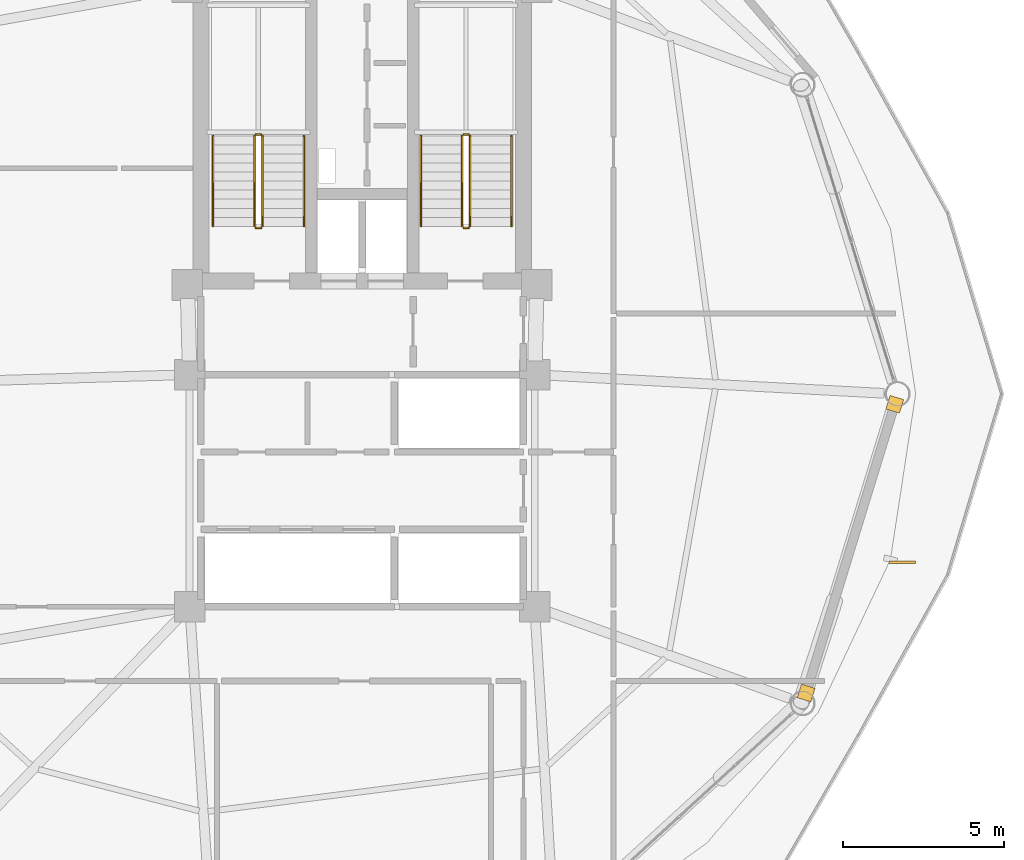
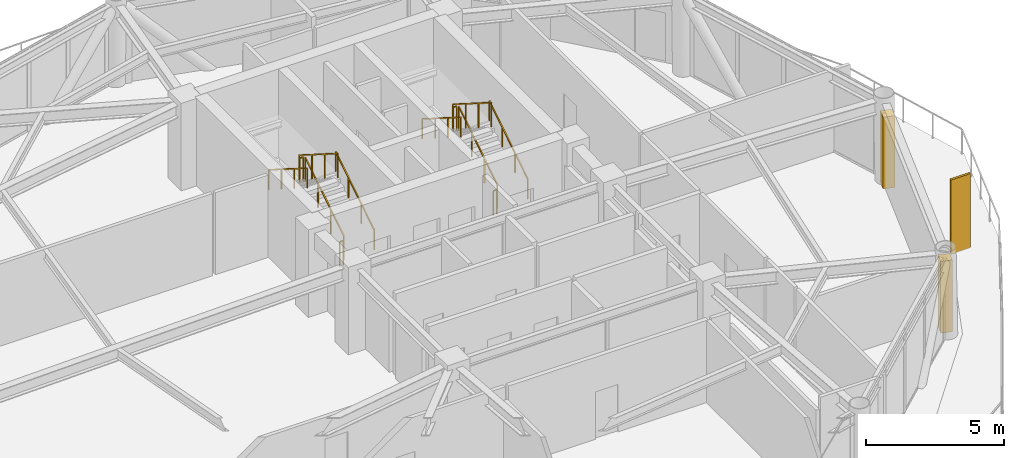
# One storey, part 22 of 23: 12 railings, 2 coverings, 1 shading device.
"""IFC4 building model written with IfcOpenShell, lengths in metres."""

import ifcopenshell
import ifcopenshell.guid

model = None  # the IFC model being written
_history = None  # IfcOwnerHistory: only IFC2X3 demands one
_inside = {}  # id of a spatial element -> (the spatial element, [elements in it])
_under = {}  # id of a project, library or spatial element -> (it, [spatial elements below it])
_declared = {}  # id of a project -> (the project, [libraries it declares])
_typed = {}  # id of a type object -> (the type object, [elements of that type])
_made_of = {}  # id of a material, layer set ... -> (it, [elements and type objects made of it])


def new_model(schema):
    """Start an empty IFC model of exactly this schema.

    Asked for "IFC4X3", IfcOpenShell would pick the latest addendum, in which some entities
    have other attributes; the version numbers below select the first issue.
    IFC2X3 requires an IfcOwnerHistory on every rooted entity: one is made here for all.
    """
    global model, _history
    if schema == "IFC4X3":
        model = ifcopenshell.file(schema_version=(4, 3, 0, 0))
    else:
        model = ifcopenshell.file(schema=schema)
    _inside.clear()
    _under.clear()
    _declared.clear()
    _typed.clear()
    _made_of.clear()
    _history = None
    if model.schema == "IFC2X3":
        org = make("IfcOrganization", Name="unknown")
        user = make(
            "IfcPersonAndOrganization",
            ThePerson=make("IfcPerson", FamilyName="unknown"),
            TheOrganization=org,
        )
        app = make(
            "IfcApplication",
            ApplicationDeveloper=org,
            Version="unknown",
            ApplicationFullName="unknown",
            ApplicationIdentifier="unknown",
        )
        _history = make(
            "IfcOwnerHistory",
            OwningUser=user,
            OwningApplication=app,
            ChangeAction="ADDED",
            CreationDate=0,
        )
    return model


def make(cls, **values):
    """One entity of the class cls with the attributes given. An attribute that is None is left unset."""
    return model.create_entity(
        cls, **{name: value for name, value in values.items() if value is not None}
    )


def rooted(cls, **values):
    """An entity with a GlobalId (a new one), such as an element, a storey or a relation."""
    return make(cls, GlobalId=ifcopenshell.guid.new(), OwnerHistory=_history, **values)


def si_unit(unit_type, name, prefix=None):
    """IfcSIUnit, for example si_unit("LENGTHUNIT", "METRE", prefix="MILLI")."""
    return make("IfcSIUnit", UnitType=unit_type, Prefix=prefix, Name=name)


def assignment(units):
    """IfcUnitAssignment: the units of a project."""
    return None if units is None else make("IfcUnitAssignment", Units=units)


def point(xyz):
    """IfcCartesianPoint."""
    return None if xyz is None else make("IfcCartesianPoint", Coordinates=xyz)


def direction(xyz):
    """IfcDirection."""
    return None if xyz is None else make("IfcDirection", DirectionRatios=xyz)


def frame(location, z_axis=None, x_axis=None):
    """IfcAxis2Placement3D, a coordinate frame: its origin and axes. An axis left out is left unset."""
    return make(
        "IfcAxis2Placement3D",
        Location=point(location),
        Axis=direction(z_axis),
        RefDirection=direction(x_axis),
    )


def frame_2d(location, x_axis=None):
    """IfcAxis2Placement2D, a coordinate frame in the plane: its origin and x axis."""
    return make(
        "IfcAxis2Placement2D", Location=point(location), RefDirection=direction(x_axis)
    )


def origin():
    """The frame at (0, 0, 0) with its axes left unset."""
    return frame((0.0, 0.0, 0.0))


def origin_2d():
    """The frame at (0, 0) in the plane with its x axis left unset."""
    return frame_2d((0.0, 0.0))


def place(relative_to, where):
    """IfcLocalPlacement: puts the frame where relative to a parent placement (None: the world)."""
    return make(
        "IfcLocalPlacement", PlacementRelTo=relative_to, RelativePlacement=where
    )


def context(
    kind, dimensions, precision=None, world=None, true_north=None, identifier=None
):
    """IfcGeometricRepresentationContext, for example the 3D "Model" context."""
    return make(
        "IfcGeometricRepresentationContext",
        ContextIdentifier=identifier,
        ContextType=kind,
        CoordinateSpaceDimension=dimensions,
        Precision=precision,
        WorldCoordinateSystem=world,
        TrueNorth=true_north,
    )


def subcontext(parent, identifier, kind, view, scale=None):
    """IfcGeometricRepresentationSubContext, for example "Body" below "Model"."""
    return make(
        "IfcGeometricRepresentationSubContext",
        ContextIdentifier=identifier,
        ContextType=kind,
        ParentContext=parent,
        TargetScale=scale,
        TargetView=view,
    )


def project(units=None, contexts=None):
    """IfcProject with its units and contexts."""
    return rooted(
        "IfcProject",
        Name="project",
        RepresentationContexts=contexts,
        UnitsInContext=assignment(units),
    )


def spatial(cls, under=None, at=None, **own):
    """A site, building, storey or space (cls), placed at a placement, below another one or the project."""
    s = rooted(cls, ObjectPlacement=at, **own)
    if under is not None:
        _under.setdefault(under.id(), (under, []))[1].append(s)
    return s


def profile(cls, at=None, kind="AREA", **sizes):
    """A parametric profile (cls). Its sizes go by their IFC names, for example OverallWidth=200.0."""
    return make(cls, ProfileType=kind, Position=at, **sizes)


def rectangle(**sizes):
    """IfcRectangleProfileDef."""
    return profile("IfcRectangleProfileDef", **sizes)


def extrude(swept, where, along, depth):
    """IfcExtrudedAreaSolid: the profile swept, set in the frame where, extruded along a direction by depth."""
    return make(
        "IfcExtrudedAreaSolid",
        SweptArea=swept,
        Position=where,
        ExtrudedDirection=direction(along),
        Depth=depth,
    )


def shape(context_of_items, identifier, shape_type, items):
    """IfcShapeRepresentation: the items that make up one representation, for example the "Body"."""
    return make(
        "IfcShapeRepresentation",
        ContextOfItems=context_of_items,
        RepresentationIdentifier=identifier,
        RepresentationType=shape_type,
        Items=items,
    )


def source(mapping_origin, context_of_items, identifier, shape_type, items):
    """IfcRepresentationMap: a shape defined once, which mapped items show again and again."""
    return make(
        "IfcRepresentationMap",
        MappingOrigin=mapping_origin,
        MappedRepresentation=shape(context_of_items, identifier, shape_type, items),
    )


def transform(
    local_origin,
    x_axis=None,
    y_axis=None,
    z_axis=None,
    scale=None,
    scale2=None,
    scale3=None,
    uniform=True,
):
    """IfcCartesianTransformationOperator3D, or its non-uniform kind. x_axis, y_axis, z_axis: its Axis1, 2, 3."""
    if uniform:
        return make(
            "IfcCartesianTransformationOperator3D",
            Axis1=direction(x_axis),
            Axis2=direction(y_axis),
            LocalOrigin=point(local_origin),
            Scale=scale,
            Axis3=direction(z_axis),
        )
    return make(
        "IfcCartesianTransformationOperator3DnonUniform",
        Axis1=direction(x_axis),
        Axis2=direction(y_axis),
        LocalOrigin=point(local_origin),
        Scale=scale,
        Axis3=direction(z_axis),
        Scale2=scale2,
        Scale3=scale3,
    )


def mapped(mapping_source, mapping_target):
    """IfcMappedItem: shows the shape of a source again, moved by a transform."""
    return make(
        "IfcMappedItem", MappingSource=mapping_source, MappingTarget=mapping_target
    )


def material(Name=None, Category=None):
    """IfcMaterial."""
    return make("IfcMaterial", Name=Name, Category=Category)


def layer(
    of_material, thickness, ventilated=None, Name=None, Category=None, Priority=None
):
    """IfcMaterialLayer: one layer of a wall or slab, of a material (None: an air gap)."""
    return make(
        "IfcMaterialLayer",
        Material=of_material,
        LayerThickness=thickness,
        IsVentilated=ventilated,
        Name=Name,
        Category=Category,
        Priority=Priority,
    )


def layer_set(layers, Name=None):
    """IfcMaterialLayerSet."""
    return make("IfcMaterialLayerSet", MaterialLayers=layers, LayerSetName=Name)


def made_of(thing, what):
    """Note that an element or type object is made of a material, layer set ...; save() writes the relation."""
    if what is not None:
        _made_of.setdefault(what.id(), (what, []))[1].append(thing)
    return thing


def type_object(cls, material=None, **own):
    """A type object (cls), such as IfcWallType, which elements share."""
    return made_of(rooted(cls, **own), material)


def type_shapes(of_type, sources):
    """Give a type object the sources (RepresentationMaps) that its elements show as mapped items."""
    of_type.RepresentationMaps = sources


def element(
    cls,
    number,
    at=None,
    inside=None,
    cuts=None,
    type_object=None,
    material=None,
    context=None,
    identifier="Body",
    shape_type=None,
    held_by="IfcProductDefinitionShape",
    body=None,
    shapes=None,
    **own,
):
    """One element of the class cls, such as IfcWall. Its Tag is "e" and its number.

    at: its placement. inside: the storey or other place that contains it. cuts: it is an
    opening in that element (IfcRelVoidsElement). A single representation is given by context,
    identifier, shape_type and body (its items); several are given by shapes. held_by: the class
    of the entity that holds the representations. save() writes the other relations.
    """
    e = rooted(cls, Tag="e%d" % number, ObjectPlacement=at, **own)
    if body is not None:
        shapes = [shape(context, identifier, shape_type, body)]
    if shapes is not None:
        e.Representation = make(held_by, Representations=shapes)
    if inside is not None:
        _inside.setdefault(inside.id(), (inside, []))[1].append(e)
    if cuts is not None:
        rooted(
            "IfcRelVoidsElement", RelatingBuildingElement=cuts, RelatedOpeningElement=e
        )
    if type_object is not None:
        _typed.setdefault(type_object.id(), (type_object, []))[1].append(e)
    return made_of(e, material)


def aggregate(whole, parts):
    """IfcRelAggregates: a whole, such as a stair, and the parts it consists of."""
    return rooted("IfcRelAggregates", RelatingObject=whole, RelatedObjects=parts)


def save(model, path):
    """Write the relations noted so far, then the file.

    IfcRelAggregates (storeys below a building ...), IfcRelContainedInSpatialStructure (elements
    in a storey), IfcRelDefinesByType, IfcRelAssociatesMaterial and IfcRelDeclares: one each for
    every whole, place, type object, material and project.
    """
    for whole, parts in _under.values():
        aggregate(whole, parts)
    for where, things in _inside.values():
        rooted(
            "IfcRelContainedInSpatialStructure",
            RelatedElements=things,
            RelatingStructure=where,
        )
    for kind, things in _typed.values():
        rooted("IfcRelDefinesByType", RelatedObjects=things, RelatingType=kind)
    for what, things in _made_of.values():
        rooted("IfcRelAssociatesMaterial", RelatedObjects=things, RelatingMaterial=what)
    for by, libraries in _declared.values():
        rooted("IfcRelDeclares", RelatingContext=by, RelatedDefinitions=libraries)
    model.write(path)


model = new_model("IFC4")

# Units and contexts
model_context = context("Model", 3, precision=1e-05, world=origin(), true_north=direction((0.0, 1.0)))
body_context = subcontext(model_context, "Body", "Model", "MODEL_VIEW")
ifc_project = project(units=[si_unit("LENGTHUNIT", "METRE"), si_unit("AREAUNIT", "SQUARE_METRE"), si_unit("VOLUMEUNIT", "CUBIC_METRE"), si_unit("PLANEANGLEUNIT", "RADIAN"), si_unit("MASSUNIT", "GRAM", prefix="KILO")], contexts=[model_context])

# Site, building, storey
site_placement = place(None, origin())
site = spatial("IfcSite", under=ifc_project, at=site_placement, CompositionType="ELEMENT")
building_placement = place(site_placement, origin())
building = spatial("IfcBuilding", under=site, at=building_placement, Name="Varnakorn Sky Granary", CompositionType="ELEMENT")
storey_placement = place(building_placement, frame((0.0, 0.0, 130.5)))
storey = spatial("IfcBuildingStorey", under=building, at=storey_placement, Name="L32", CompositionType="ELEMENT", Elevation=130.5)

# Railings
ifc_material_1 = material(Name="Brushed Stainless Steel 316", Category="steel")
railing_type_1 = type_object("IfcRailingType", Name="RL-STAIR-1100", PredefinedType="GUARDRAIL", material=ifc_material_1)
railing_1_placement = place(storey_placement, frame((-0.090087890625, 5.199951171875, 0.17724609375)))
element("IfcRailing", 1, at=railing_1_placement, inside=storey, type_object=railing_type_1, Name="L32 ST-1 stair guard 1", PredefinedType="GUARDRAIL", context=body_context, shape_type="SweptSolid", body=[
    extrude(rectangle(XDim=0.048095703125, YDim=0.048095703125, at=origin_2d()), frame((0.0, 0.0, 1.076171875), z_axis=(0.0, 0.844908973607, 0.534910110503), x_axis=(-1.0, 0.0, 0.0)), (0.0, 0.0, 1.0), 3.31396484375),
    extrude(rectangle(XDim=0.0419921875, YDim=0.0419921875, at=origin_2d()), origin(), (0.0, 0.0, 1.0), 1.048095703125),
    extrude(rectangle(XDim=0.0419921875, YDim=0.0419921875, at=origin_2d()), frame((0.0, 0.933349609375, 0.5908203125)), (0.0, 0.0, 1.0), 1.048095703125),
    extrude(rectangle(XDim=0.0419921875, YDim=0.0419921875, at=origin_2d()), frame((0.0, 1.86669921875, 1.181884765625)), (0.0, 0.0, 1.0), 1.048095703125),
    extrude(rectangle(XDim=0.0419921875, YDim=0.0419921875, at=origin_2d()), frame((0.0, 2.800048828125, 1.772705078125)), (0.0, 0.0, 1.0), 1.048095703125),
])
railing_2_placement = place(storey_placement, frame((-0.139892578125, 8.050048828125, 1.949951171875)))
element("IfcRailing", 2, at=railing_2_placement, inside=storey, type_object=railing_type_1, Name="L32 ST-1 stair guard 2", PredefinedType="GUARDRAIL", context=body_context, shape_type="SweptSolid", body=[
    extrude(rectangle(XDim=0.048095703125, YDim=0.048095703125, at=origin_2d()), frame((0.0, 0.0, 1.076171875), z_axis=(-1.0, 0.0, 0.0), x_axis=(0.0, -1.0, 0.0)), (0.0, 0.0, 1.0), 0.150146484375),
    extrude(rectangle(XDim=0.0419921875, YDim=0.0419921875, at=origin_2d()), origin(), (0.0, 0.0, 1.0), 1.048095703125),
    extrude(rectangle(XDim=0.0419921875, YDim=0.0419921875, at=origin_2d()), frame((-0.150146484375, 0.0, 0.0)), (0.0, 0.0, 1.0), 1.048095703125),
])
railing_3_placement = place(storey_placement, frame((-0.340087890625, 8.0, 2.127197265625)))
element("IfcRailing", 3, at=railing_3_placement, inside=storey, type_object=railing_type_1, Name="L32 ST-1 stair guard 3", PredefinedType="GUARDRAIL", context=body_context, shape_type="SweptSolid", body=[
    extrude(rectangle(XDim=0.048095703125, YDim=0.048095703125, at=origin_2d()), frame((0.0, 0.0, 1.076171875), z_axis=(0.0, -0.844908973607, 0.534910110503), x_axis=(1.0, 0.0, 0.0)), (0.0, 0.0, 1.0), 3.31396484375),
    extrude(rectangle(XDim=0.0419921875, YDim=0.0419921875, at=origin_2d()), origin(), (0.0, 0.0, 1.0), 1.048095703125),
    extrude(rectangle(XDim=0.0419921875, YDim=0.0419921875, at=origin_2d()), frame((0.0, -0.933349609375, 0.5908203125)), (0.0, 0.0, 1.0), 1.048095703125),
    extrude(rectangle(XDim=0.0419921875, YDim=0.0419921875, at=origin_2d()), frame((0.0, -1.86669921875, 1.181884765625)), (0.0, 0.0, 1.0), 1.048095703125),
    extrude(rectangle(XDim=0.0419921875, YDim=0.0419921875, at=origin_2d()), frame((0.0, -2.800048828125, 1.772705078125)), (0.0, 0.0, 1.0), 1.048095703125),
])
railing_4_placement = place(storey_placement, frame((-0.139892578125, 5.14990234375, 0.0)))
element("IfcRailing", 4, at=railing_4_placement, inside=storey, type_object=railing_type_1, Name="L32 ST-1 stair guard 4", PredefinedType="GUARDRAIL", context=body_context, shape_type="SweptSolid", body=[
    extrude(rectangle(XDim=0.048095703125, YDim=0.048095703125, at=origin_2d()), frame((0.0, 0.0, 1.076171875), z_axis=(-1.0, 0.0, 0.0), x_axis=(0.0, -1.0, 0.0)), (0.0, 0.0, 1.0), 0.150146484375),
    extrude(rectangle(XDim=0.0419921875, YDim=0.0419921875, at=origin_2d()), origin(), (0.0, 0.0, 1.0), 1.048095703125),
    extrude(rectangle(XDim=0.0419921875, YDim=0.0419921875, at=origin_2d()), frame((-0.150146484375, 0.0, 0.0)), (0.0, 0.0, 1.0), 1.048095703125),
])
railing_5_placement = place(storey_placement, frame((6.35009765625, 5.199951171875, 0.17724609375)))
element("IfcRailing", 5, at=railing_5_placement, inside=storey, type_object=railing_type_1, Name="L32 ST-2 stair guard 1", PredefinedType="GUARDRAIL", context=body_context, shape_type="SweptSolid", body=[
    extrude(rectangle(XDim=0.048095703125, YDim=0.048095703125, at=origin_2d()), frame((0.0, 0.0, 1.076171875), z_axis=(0.0, 0.844908973607, 0.534910110503), x_axis=(-1.0, 0.0, 0.0)), (0.0, 0.0, 1.0), 3.31396484375),
    extrude(rectangle(XDim=0.0419921875, YDim=0.0419921875, at=origin_2d()), origin(), (0.0, 0.0, 1.0), 1.048095703125),
    extrude(rectangle(XDim=0.0419921875, YDim=0.0419921875, at=origin_2d()), frame((0.0, 0.933349609375, 0.5908203125)), (0.0, 0.0, 1.0), 1.048095703125),
    extrude(rectangle(XDim=0.0419921875, YDim=0.0419921875, at=origin_2d()), frame((0.0, 1.86669921875, 1.181884765625)), (0.0, 0.0, 1.0), 1.048095703125),
    extrude(rectangle(XDim=0.0419921875, YDim=0.0419921875, at=origin_2d()), frame((0.0, 2.800048828125, 1.772705078125)), (0.0, 0.0, 1.0), 1.048095703125),
])
railing_6_placement = place(storey_placement, frame((6.300048828125, 8.050048828125, 1.949951171875)))
element("IfcRailing", 6, at=railing_6_placement, inside=storey, type_object=railing_type_1, Name="L32 ST-2 stair guard 2", PredefinedType="GUARDRAIL", context=body_context, shape_type="SweptSolid", body=[
    extrude(rectangle(XDim=0.048095703125, YDim=0.048095703125, at=origin_2d()), frame((0.0, 0.0, 1.076171875), z_axis=(-1.0, 0.0, 0.0), x_axis=(0.0, -1.0, 0.0)), (0.0, 0.0, 1.0), 0.150146484375),
    extrude(rectangle(XDim=0.0419921875, YDim=0.0419921875, at=origin_2d()), origin(), (0.0, 0.0, 1.0), 1.048095703125),
    extrude(rectangle(XDim=0.0419921875, YDim=0.0419921875, at=origin_2d()), frame((-0.150146484375, 0.0, 0.0)), (0.0, 0.0, 1.0), 1.048095703125),
])
railing_7_placement = place(storey_placement, frame((6.10009765625, 8.0, 2.127197265625)))
element("IfcRailing", 7, at=railing_7_placement, inside=storey, type_object=railing_type_1, Name="L32 ST-2 stair guard 3", PredefinedType="GUARDRAIL", context=body_context, shape_type="SweptSolid", body=[
    extrude(rectangle(XDim=0.048095703125, YDim=0.048095703125, at=origin_2d()), frame((0.0, 0.0, 1.076171875), z_axis=(0.0, -0.844908973607, 0.534910110503), x_axis=(1.0, 0.0, 0.0)), (0.0, 0.0, 1.0), 3.31396484375),
    extrude(rectangle(XDim=0.0419921875, YDim=0.0419921875, at=origin_2d()), origin(), (0.0, 0.0, 1.0), 1.048095703125),
    extrude(rectangle(XDim=0.0419921875, YDim=0.0419921875, at=origin_2d()), frame((0.0, -0.933349609375, 0.5908203125)), (0.0, 0.0, 1.0), 1.048095703125),
    extrude(rectangle(XDim=0.0419921875, YDim=0.0419921875, at=origin_2d()), frame((0.0, -1.86669921875, 1.181884765625)), (0.0, 0.0, 1.0), 1.048095703125),
    extrude(rectangle(XDim=0.0419921875, YDim=0.0419921875, at=origin_2d()), frame((0.0, -2.800048828125, 1.772705078125)), (0.0, 0.0, 1.0), 1.048095703125),
])
railing_8_placement = place(storey_placement, frame((6.300048828125, 5.14990234375, 0.0)))
element("IfcRailing", 8, at=railing_8_placement, inside=storey, type_object=railing_type_1, Name="L32 ST-2 stair guard 4", PredefinedType="GUARDRAIL", context=body_context, shape_type="SweptSolid", body=[
    extrude(rectangle(XDim=0.048095703125, YDim=0.048095703125, at=origin_2d()), frame((0.0, 0.0, 1.076171875), z_axis=(-1.0, 0.0, 0.0), x_axis=(0.0, -1.0, 0.0)), (0.0, 0.0, 1.0), 0.150146484375),
    extrude(rectangle(XDim=0.0419921875, YDim=0.0419921875, at=origin_2d()), origin(), (0.0, 0.0, 1.0), 1.048095703125),
    extrude(rectangle(XDim=0.0419921875, YDim=0.0419921875, at=origin_2d()), frame((-0.150146484375, 0.0, 0.0)), (0.0, 0.0, 1.0), 1.048095703125),
])
railing_type_2 = type_object("IfcRailingType", Name="RL-STAIR-920", PredefinedType="HANDRAIL", material=ifc_material_1)
railing_9_placement = place(storey_placement, frame((1.18994140625, 5.199951171875, 0.17724609375)))
element("IfcRailing", 9, at=railing_9_placement, inside=storey, type_object=railing_type_2, Name="L32 ST-1 stair handrail 1", PredefinedType="HANDRAIL", context=body_context, shape_type="SweptSolid", body=[
    extrude(rectangle(XDim=0.048095703125, YDim=0.048095703125, at=origin_2d()), frame((0.0, 0.0, 0.8759765625), z_axis=(0.0, 0.844908973607, 0.534910110503), x_axis=(-1.0, 0.0, 0.0)), (0.0, 0.0, 1.0), 3.31396484375),
    extrude(rectangle(XDim=0.0419921875, YDim=0.0419921875, at=origin_2d()), origin(), (0.0, 0.0, 1.0), 0.847900390625),
    extrude(rectangle(XDim=0.0419921875, YDim=0.0419921875, at=origin_2d()), frame((0.0, 0.933349609375, 0.5908203125)), (0.0, 0.0, 1.0), 0.847900390625),
    extrude(rectangle(XDim=0.0419921875, YDim=0.0419921875, at=origin_2d()), frame((0.0, 1.86669921875, 1.181884765625)), (0.0, 0.0, 1.0), 0.847900390625),
    extrude(rectangle(XDim=0.0419921875, YDim=0.0419921875, at=origin_2d()), frame((0.0, 2.800048828125, 1.772705078125)), (0.0, 0.0, 1.0), 0.847900390625),
])
railing_10_placement = place(storey_placement, frame((-1.6201171875, 8.0, 2.127197265625)))
element("IfcRailing", 10, at=railing_10_placement, inside=storey, type_object=railing_type_2, Name="L32 ST-1 stair handrail 2", PredefinedType="HANDRAIL", context=body_context, shape_type="SweptSolid", body=[
    extrude(rectangle(XDim=0.048095703125, YDim=0.048095703125, at=origin_2d()), frame((0.0, 0.0, 0.8759765625), z_axis=(0.0, -0.844908973607, 0.534910110503), x_axis=(1.0, 0.0, 0.0)), (0.0, 0.0, 1.0), 3.31396484375),
    extrude(rectangle(XDim=0.0419921875, YDim=0.0419921875, at=origin_2d()), origin(), (0.0, 0.0, 1.0), 0.847900390625),
    extrude(rectangle(XDim=0.0419921875, YDim=0.0419921875, at=origin_2d()), frame((0.0, -0.933349609375, 0.5908203125)), (0.0, 0.0, 1.0), 0.847900390625),
    extrude(rectangle(XDim=0.0419921875, YDim=0.0419921875, at=origin_2d()), frame((0.0, -1.86669921875, 1.181884765625)), (0.0, 0.0, 1.0), 0.847900390625),
    extrude(rectangle(XDim=0.0419921875, YDim=0.0419921875, at=origin_2d()), frame((0.0, -2.800048828125, 1.772705078125)), (0.0, 0.0, 1.0), 0.847900390625),
])
railing_11_placement = place(storey_placement, frame((7.6298828125, 5.199951171875, 0.17724609375)))
element("IfcRailing", 11, at=railing_11_placement, inside=storey, type_object=railing_type_2, Name="L32 ST-2 stair handrail 1", PredefinedType="HANDRAIL", context=body_context, shape_type="SweptSolid", body=[
    extrude(rectangle(XDim=0.048095703125, YDim=0.048095703125, at=origin_2d()), frame((0.0, 0.0, 0.8759765625), z_axis=(0.0, 0.844908973607, 0.534910110503), x_axis=(-1.0, 0.0, 0.0)), (0.0, 0.0, 1.0), 3.31396484375),
    extrude(rectangle(XDim=0.0419921875, YDim=0.0419921875, at=origin_2d()), origin(), (0.0, 0.0, 1.0), 0.847900390625),
    extrude(rectangle(XDim=0.0419921875, YDim=0.0419921875, at=origin_2d()), frame((0.0, 0.933349609375, 0.5908203125)), (0.0, 0.0, 1.0), 0.847900390625),
    extrude(rectangle(XDim=0.0419921875, YDim=0.0419921875, at=origin_2d()), frame((0.0, 1.86669921875, 1.181884765625)), (0.0, 0.0, 1.0), 0.847900390625),
    extrude(rectangle(XDim=0.0419921875, YDim=0.0419921875, at=origin_2d()), frame((0.0, 2.800048828125, 1.772705078125)), (0.0, 0.0, 1.0), 0.847900390625),
])
railing_12_placement = place(storey_placement, frame((4.820068359375, 8.0, 2.127197265625)))
element("IfcRailing", 12, at=railing_12_placement, inside=storey, type_object=railing_type_2, Name="L32 ST-2 stair handrail 2", PredefinedType="HANDRAIL", context=body_context, shape_type="SweptSolid", body=[
    extrude(rectangle(XDim=0.048095703125, YDim=0.048095703125, at=origin_2d()), frame((0.0, 0.0, 0.8759765625), z_axis=(0.0, -0.844908973607, 0.534910110503), x_axis=(1.0, 0.0, 0.0)), (0.0, 0.0, 1.0), 3.31396484375),
    extrude(rectangle(XDim=0.0419921875, YDim=0.0419921875, at=origin_2d()), origin(), (0.0, 0.0, 1.0), 0.847900390625),
    extrude(rectangle(XDim=0.0419921875, YDim=0.0419921875, at=origin_2d()), frame((0.0, -0.933349609375, 0.5908203125)), (0.0, 0.0, 1.0), 0.847900390625),
    extrude(rectangle(XDim=0.0419921875, YDim=0.0419921875, at=origin_2d()), frame((0.0, -1.86669921875, 1.181884765625)), (0.0, 0.0, 1.0), 0.847900390625),
    extrude(rectangle(XDim=0.0419921875, YDim=0.0419921875, at=origin_2d()), frame((0.0, -2.800048828125, 1.772705078125)), (0.0, 0.0, 1.0), 0.847900390625),
])

# Shading device
ifc_material_2 = material(Name="Anodised Bronze Aluminium Alloy 6063-T6", Category="aluminium")
shading_device_type = type_object("IfcShadingDeviceType", Name="SH-FIN-02", PredefinedType="USERDEFINED", material=ifc_material_2)
shared_shape_1 = source(origin(), body_context, "Body", "SweptSolid", [
    extrude(rectangle(XDim=0.0849609375, YDim=0.820068359375, at=origin_2d()), origin(), (0.0, 0.0, 1.0), 3.300048828125),
])
type_shapes(shading_device_type, [shared_shape_1])
shading_device_placement = place(storey_placement, frame((19.7451171875, -5.218505859375, -0.0400390625), z_axis=(0.0, 0.0, 1.0), x_axis=(-0.00660948719, 0.999978157101, 0.0)))
element("IfcShadingDevice", 13, at=shading_device_placement, inside=storey, type_object=shading_device_type, Name="Bronze Solar-Tracking Vertical Blade FIN L32-12", ObjectType="FIN", PredefinedType="USERDEFINED", context=body_context, shape_type="MappedRepresentation", body=[
    mapped(shared_shape_1, transform((0.0, 0.0, 0.0), x_axis=(1.0, 0.0, 0.0), y_axis=(0.0, 1.0, 0.0), z_axis=(0.0, 0.0, 1.0), scale=1.0)),
])

# Coverings
ifc_layer = layer(ifc_material_2, 0.050048828125, Name="Anodised Bronze Aluminium Alloy 6063-T6")
ifc_layer_set = layer_set([ifc_layer], Name="Anodised Bronze Aluminium Alloy 6063-T6")
covering_type = type_object("IfcCoveringType", Name="CV-CLAD-50", PredefinedType="CLADDING", material=ifc_layer_set)
shared_shape_2 = source(origin(), body_context, "Body", "SweptSolid", [
    extrude(rectangle(XDim=0.43994140625, YDim=0.43994140625, at=origin_2d()), origin(), (0.0, 0.0, 1.0), 3.179931640625),
])
type_shapes(covering_type, [shared_shape_2])
for number, where, z_axis, x_axis, name in (
    (14, (19.518310546875, -0.3212890625, -0.02001953125), (0.0, 0.0, 1.0), (-0.293539832896, -0.955946842928, 0.0), "Bronze Corner Pilaster Closure L32-P12-A"),
    (15, (16.76953125, -9.2744140625, -0.02001953125), (0.0, 0.0, 1.0), (-0.293539832896, -0.955946842928, 0.0), "Bronze Corner Pilaster Closure L32-P12-B"),
):
    element("IfcCovering", number, at=place(storey_placement, frame(where, z_axis=z_axis, x_axis=x_axis)), inside=storey, type_object=covering_type, Name=name, PredefinedType="CLADDING", context=body_context, shape_type="MappedRepresentation", body=[
        mapped(shared_shape_2, transform((0.0, 0.0, 0.0), x_axis=(1.0, 0.0, 0.0), y_axis=(0.0, 1.0, 0.0), z_axis=(0.0, 0.0, 1.0), scale=1.0)),
    ])

save(model, "model.ifc")
